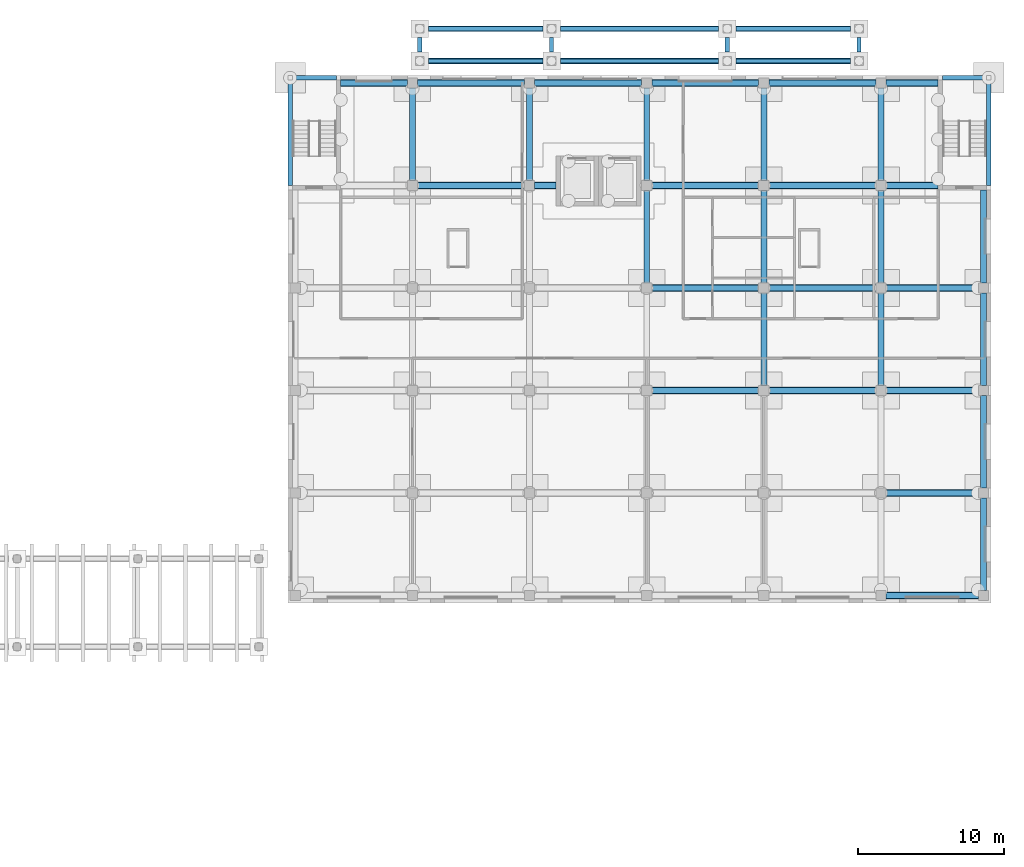
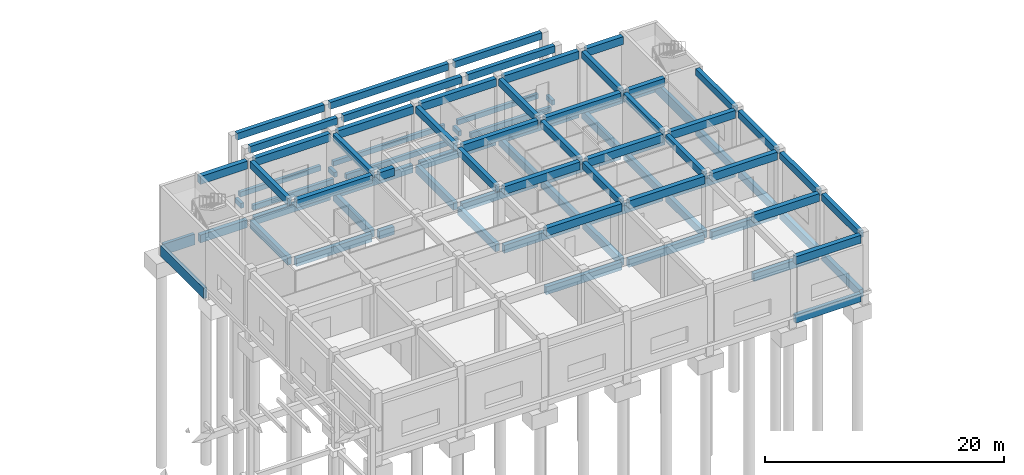
# One storey, part 23 of 51: 86 beams.
"""IFC4 building model written with IfcOpenShell, lengths in metres."""

from ifc_helpers import new_model, si_unit, direction, frame, origin, origin_2d, place, context, subcontext, project, spatial, rectangle, extrude, material, material_profile, profile_set, type_object, element, save


model = new_model("IFC4")

# Units and contexts
model_context = context("Model", 3, precision=1e-05, world=origin(), true_north=direction((0.0, 1.0)))
body_context = subcontext(model_context, "Body", "Model", "MODEL_VIEW")
ifc_project = project(units=[si_unit("LENGTHUNIT", "METRE"), si_unit("AREAUNIT", "SQUARE_METRE"), si_unit("VOLUMEUNIT", "CUBIC_METRE"), si_unit("PLANEANGLEUNIT", "RADIAN"), si_unit("MASSUNIT", "GRAM", prefix="KILO")], contexts=[model_context])

# Site, building, storey
site_placement = place(None, origin())
site = spatial("IfcSite", under=ifc_project, at=site_placement, CompositionType="ELEMENT")
building_placement = place(site_placement, origin())
building = spatial("IfcBuilding", under=site, at=building_placement, Name="Elmora Arch Market Hall", CompositionType="ELEMENT")
storey_placement = place(building_placement, origin())
storey = spatial("IfcBuildingStorey", under=building, at=storey_placement, Name="L00", CompositionType="ELEMENT", Elevation=0.0)

# Beams
ifc_material_1 = material(Name="Concrete C32/40", Category="concrete")
ifc_material_profile_1 = material_profile(ifc_material_1, rectangle(XDim=0.39990234375, YDim=0.699951171875, at=origin_2d()), Name="Canopy beam 400x700")
ifc_profile_set_1 = profile_set([ifc_material_profile_1], Name="Concrete C32/40")
beam_type_1 = type_object("IfcBeamType", Name="Canopy beam 400x700", PredefinedType="BEAM", material=ifc_profile_set_1)
beam_1_placement = place(storey_placement, frame((95.300048828125, 167.0, 5.5), z_axis=(1.0, 0.0, 0.0), x_axis=(0.0, 1.0, 0.0)))
element("IfcBeam", 1, at=beam_1_placement, inside=storey, type_object=beam_type_1, Name="Canopy beam CAN-SCH-B1 L00.1", PredefinedType="BEAM", context=body_context, shape_type="SweptSolid", body=[
    extrude(rectangle(XDim=0.39990234375, YDim=0.699951171875, at=origin_2d()), origin(), (0.0, 0.0, 1.0), 8.39990234375),
])
beam_2_placement = place(storey_placement, frame((104.300048828125, 167.0, 5.5), z_axis=(1.0, 0.0, 0.0), x_axis=(0.0, 1.0, 0.0)))
element("IfcBeam", 2, at=beam_2_placement, inside=storey, type_object=beam_type_1, Name="Canopy beam CAN-SCH-B1 L00.2", PredefinedType="BEAM", context=body_context, shape_type="SweptSolid", body=[
    extrude(rectangle(XDim=0.39990234375, YDim=0.699951171875, at=origin_2d()), origin(), (0.0, 0.0, 1.0), 11.39990234375),
])
for number, where, z_axis, x_axis, name in (
    (3, (116.300048828125, 167.0, 5.5), (1.0, 0.0, 0.0), (0.0, 1.0, 0.0), "Canopy beam CAN-SCH-B1 L00.3"),
    (4, (95.300048828125, 169.199951171875, 5.5), (1.0, 0.0, 0.0), (0.0, 1.0, 0.0), "Canopy beam CAN-SCH-B2 L00.1"),
):
    element("IfcBeam", number, at=place(storey_placement, frame(where, z_axis=z_axis, x_axis=x_axis)), inside=storey, type_object=beam_type_1, Name=name, PredefinedType="BEAM", context=body_context, shape_type="SweptSolid", body=[
        extrude(rectangle(XDim=0.39990234375, YDim=0.699951171875, at=origin_2d()), origin(), (0.0, 0.0, 1.0), 8.39990234375),
    ])
beam_3_placement = place(storey_placement, frame((104.300048828125, 169.199951171875, 5.5), z_axis=(1.0, 0.0, 0.0), x_axis=(0.0, 1.0, 0.0)))
element("IfcBeam", 5, at=beam_3_placement, inside=storey, type_object=beam_type_1, Name="Canopy beam CAN-SCH-B2 L00.2", PredefinedType="BEAM", context=body_context, shape_type="SweptSolid", body=[
    extrude(rectangle(XDim=0.39990234375, YDim=0.699951171875, at=origin_2d()), origin(), (0.0, 0.0, 1.0), 11.39990234375),
])
beam_4_placement = place(storey_placement, frame((116.300048828125, 169.199951171875, 5.5), z_axis=(1.0, 0.0, 0.0), x_axis=(0.0, 1.0, 0.0)))
element("IfcBeam", 6, at=beam_4_placement, inside=storey, type_object=beam_type_1, Name="Canopy beam CAN-SCH-B2 L00.3", PredefinedType="BEAM", context=body_context, shape_type="SweptSolid", body=[
    extrude(rectangle(XDim=0.39990234375, YDim=0.699951171875, at=origin_2d()), origin(), (0.0, 0.0, 1.0), 8.39990234375),
])
ifc_material_2 = material(Name="Concrete C32/40", Category="concrete")
ifc_material_profile_2 = material_profile(ifc_material_2, rectangle(XDim=0.300048828125, YDim=1.10009765625, at=origin_2d()), Name="Facade kicker beam 300x1100")
ifc_profile_set_2 = profile_set([ifc_material_profile_2], Name="Concrete C32/40")
beam_type_2 = type_object("IfcBeamType", Name="Facade kicker beam 300x1100", PredefinedType="BEAM", material=ifc_profile_set_2)
beam_5_placement = place(storey_placement, frame((86.14990234375, 158.5, -0.85009765625), z_axis=(0.0, 1.0, 0.0), x_axis=(-1.0, 0.0, 0.0)))
element("IfcBeam", 7, at=beam_5_placement, inside=storey, type_object=beam_type_2, Name="Facade kicker beam SCW W", PredefinedType="BEAM", context=body_context, shape_type="SweptSolid", body=[
    extrude(rectangle(XDim=0.300048828125, YDim=1.10009765625, at=origin_2d()), origin(), (0.0, 0.0, 1.0), 7.199951171875),
])
beam_6_placement = place(storey_placement, frame((86.300048828125, 165.85009765625, -0.85009765625), z_axis=(1.0, 0.0, 0.0), x_axis=(0.0, 1.0, 0.0)))
element("IfcBeam", 8, at=beam_6_placement, inside=storey, type_object=beam_type_2, Name="Facade kicker beam SCW N", PredefinedType="BEAM", context=body_context, shape_type="SweptSolid", body=[
    extrude(rectangle(XDim=0.300048828125, YDim=1.10009765625, at=origin_2d()), origin(), (0.0, 0.0, 1.0), 3.0),
])
beam_7_placement = place(storey_placement, frame((133.85009765625, 158.5, -0.85009765625), z_axis=(0.0, 1.0, 0.0), x_axis=(-1.0, 0.0, 0.0)))
element("IfcBeam", 9, at=beam_7_placement, inside=storey, type_object=beam_type_2, Name="Facade kicker beam SCE W", PredefinedType="BEAM", context=body_context, shape_type="SweptSolid", body=[
    extrude(rectangle(XDim=0.300048828125, YDim=1.10009765625, at=origin_2d()), origin(), (0.0, 0.0, 1.0), 7.199951171875),
])
beam_8_placement = place(storey_placement, frame((130.699951171875, 165.85009765625, -0.85009765625), z_axis=(1.0, 0.0, 0.0), x_axis=(0.0, 1.0, 0.0)))
element("IfcBeam", 10, at=beam_8_placement, inside=storey, type_object=beam_type_2, Name="Facade kicker beam SCE N", PredefinedType="BEAM", context=body_context, shape_type="SweptSolid", body=[
    extrude(rectangle(XDim=0.300048828125, YDim=1.10009765625, at=origin_2d()), origin(), (0.0, 0.0, 1.0), 3.0),
])
ifc_material_3 = material(Name="Concrete C32/40", Category="concrete")
ifc_material_profile_3 = material_profile(ifc_material_3, rectangle(XDim=0.39990234375, YDim=0.800048828125, at=origin_2d()), Name="Ground beam 400x800")
ifc_profile_set_3 = profile_set([ifc_material_profile_3], Name="Concrete C32/40")
beam_type_3 = type_object("IfcBeamType", Name="Ground beam 400x800", PredefinedType="BEAM", material=ifc_profile_set_3)
for number, where, z_axis, x_axis, name in (
    (11, (126.85009765625, 130.5, -0.699951171875), (1.0, 0.0, 0.0), (0.0, 1.0, 0.0), "Ground beam SGX1 L00.6"),
    (12, (126.85009765625, 137.5, -0.699951171875), (1.0, 0.0, 0.0), (0.0, 1.0, 0.0), "Ground beam SGX2 L00.6"),
):
    element("IfcBeam", number, at=place(storey_placement, frame(where, z_axis=z_axis, x_axis=x_axis)), inside=storey, type_object=beam_type_3, Name=name, PredefinedType="BEAM", context=body_context, shape_type="SweptSolid", body=[
        extrude(rectangle(XDim=0.39990234375, YDim=0.800048828125, at=origin_2d()), origin(), (0.0, 0.0, 1.0), 6.2998046875),
    ])
for number, where, z_axis, x_axis, name in (
    (13, (110.85009765625, 144.5, -0.699951171875), (1.0, 0.0, 0.0), (0.0, 1.0, 0.0), "Ground beam SGX3 L00.4"),
    (14, (118.85009765625, 144.5, -0.699951171875), (1.0, 0.0, 0.0), (0.0, 1.0, 0.0), "Ground beam SGX3 L00.5"),
):
    element("IfcBeam", number, at=place(storey_placement, frame(where, z_axis=z_axis, x_axis=x_axis)), inside=storey, type_object=beam_type_3, Name=name, PredefinedType="BEAM", context=body_context, shape_type="SweptSolid", body=[
        extrude(rectangle(XDim=0.39990234375, YDim=0.800048828125, at=origin_2d()), origin(), (0.0, 0.0, 1.0), 7.2998046875),
    ])
beam_9_placement = place(storey_placement, frame((126.85009765625, 144.5, -0.699951171875), z_axis=(1.0, 0.0, 0.0), x_axis=(0.0, 1.0, 0.0)))
element("IfcBeam", 15, at=beam_9_placement, inside=storey, type_object=beam_type_3, Name="Ground beam SGX3 L00.6", PredefinedType="BEAM", context=body_context, shape_type="SweptSolid", body=[
    extrude(rectangle(XDim=0.39990234375, YDim=0.800048828125, at=origin_2d()), origin(), (0.0, 0.0, 1.0), 6.2998046875),
])
for number, where, z_axis, x_axis, name in (
    (16, (110.85009765625, 151.5, -0.699951171875), (1.0, 0.0, 0.0), (0.0, 1.0, 0.0), "Ground beam SGX4 L00.4"),
    (17, (118.85009765625, 151.5, -0.699951171875), (1.0, 0.0, 0.0), (0.0, 1.0, 0.0), "Ground beam SGX4 L00.5"),
):
    element("IfcBeam", number, at=place(storey_placement, frame(where, z_axis=z_axis, x_axis=x_axis)), inside=storey, type_object=beam_type_3, Name=name, PredefinedType="BEAM", context=body_context, shape_type="SweptSolid", body=[
        extrude(rectangle(XDim=0.39990234375, YDim=0.800048828125, at=origin_2d()), origin(), (0.0, 0.0, 1.0), 7.2998046875),
    ])
beam_10_placement = place(storey_placement, frame((126.85009765625, 151.5, -0.699951171875), z_axis=(1.0, 0.0, 0.0), x_axis=(0.0, 1.0, 0.0)))
element("IfcBeam", 18, at=beam_10_placement, inside=storey, type_object=beam_type_3, Name="Ground beam SGX4 L00.6", PredefinedType="BEAM", context=body_context, shape_type="SweptSolid", body=[
    extrude(rectangle(XDim=0.39990234375, YDim=0.800048828125, at=origin_2d()), origin(), (0.0, 0.0, 1.0), 6.2998046875),
])
beam_11_placement = place(storey_placement, frame((94.85009765625, 158.5, -0.699951171875), z_axis=(1.0, 0.0, 0.0), x_axis=(0.0, 1.0, 0.0)))
element("IfcBeam", 19, at=beam_11_placement, inside=storey, type_object=beam_type_3, Name="Ground beam SGX5 L00.2", PredefinedType="BEAM", context=body_context, shape_type="SweptSolid", body=[
    extrude(rectangle(XDim=0.39990234375, YDim=0.800048828125, at=origin_2d()), origin(), (0.0, 0.0, 1.0), 7.2998046875),
])
beam_12_placement = place(storey_placement, frame((102.85009765625, 158.5, -0.699951171875), z_axis=(1.0, 0.0, 0.0), x_axis=(0.0, 1.0, 0.0)))
element("IfcBeam", 20, at=beam_12_placement, inside=storey, type_object=beam_type_3, Name="Ground beam SGX5 L00.3", PredefinedType="BEAM", context=body_context, shape_type="SweptSolid", body=[
    extrude(rectangle(XDim=0.39990234375, YDim=0.800048828125, at=origin_2d()), origin(), (0.0, 0.0, 1.0), 1.449951171875),
])
for number, where, z_axis, x_axis, name in (
    (21, (110.85009765625, 158.5, -0.699951171875), (1.0, 0.0, 0.0), (0.0, 1.0, 0.0), "Ground beam SGX5 L00.4"),
    (22, (118.85009765625, 158.5, -0.699951171875), (1.0, 0.0, 0.0), (0.0, 1.0, 0.0), "Ground beam SGX5 L00.5"),
):
    element("IfcBeam", number, at=place(storey_placement, frame(where, z_axis=z_axis, x_axis=x_axis)), inside=storey, type_object=beam_type_3, Name=name, PredefinedType="BEAM", context=body_context, shape_type="SweptSolid", body=[
        extrude(rectangle(XDim=0.39990234375, YDim=0.800048828125, at=origin_2d()), origin(), (0.0, 0.0, 1.0), 7.2998046875),
    ])
beam_13_placement = place(storey_placement, frame((126.85009765625, 158.5, -0.699951171875), z_axis=(1.0, 0.0, 0.0), x_axis=(0.0, 1.0, 0.0)))
element("IfcBeam", 23, at=beam_13_placement, inside=storey, type_object=beam_type_3, Name="Ground beam SGX5 L00.6", PredefinedType="BEAM", context=body_context, shape_type="SweptSolid", body=[
    extrude(rectangle(XDim=0.39990234375, YDim=0.800048828125, at=origin_2d()), origin(), (0.0, 0.0, 1.0), 3.5498046875),
])
beam_14_placement = place(storey_placement, frame((89.60009765625, 165.5, -0.699951171875), z_axis=(1.0, 0.0, 0.0), x_axis=(0.0, 1.0, 0.0)))
element("IfcBeam", 24, at=beam_14_placement, inside=storey, type_object=beam_type_3, Name="Ground beam SGX6 L00.1", PredefinedType="BEAM", context=body_context, shape_type="SweptSolid", body=[
    extrude(rectangle(XDim=0.39990234375, YDim=0.800048828125, at=origin_2d()), origin(), (0.0, 0.0, 1.0), 4.5498046875),
])
for number, where, z_axis, x_axis, name in (
    (25, (94.85009765625, 165.5, -0.699951171875), (1.0, 0.0, 0.0), (0.0, 1.0, 0.0), "Ground beam SGX6 L00.2"),
    (26, (102.85009765625, 165.5, -0.699951171875), (1.0, 0.0, 0.0), (0.0, 1.0, 0.0), "Ground beam SGX6 L00.3"),
    (27, (110.85009765625, 165.5, -0.699951171875), (1.0, 0.0, 0.0), (0.0, 1.0, 0.0), "Ground beam SGX6 L00.4"),
    (28, (118.85009765625, 165.5, -0.699951171875), (1.0, 0.0, 0.0), (0.0, 1.0, 0.0), "Ground beam SGX6 L00.5"),
):
    element("IfcBeam", number, at=place(storey_placement, frame(where, z_axis=z_axis, x_axis=x_axis)), inside=storey, type_object=beam_type_3, Name=name, PredefinedType="BEAM", context=body_context, shape_type="SweptSolid", body=[
        extrude(rectangle(XDim=0.39990234375, YDim=0.800048828125, at=origin_2d()), origin(), (0.0, 0.0, 1.0), 7.2998046875),
    ])
beam_15_placement = place(storey_placement, frame((126.85009765625, 165.5, -0.699951171875), z_axis=(1.0, 0.0, 0.0), x_axis=(0.0, 1.0, 0.0)))
element("IfcBeam", 29, at=beam_15_placement, inside=storey, type_object=beam_type_3, Name="Ground beam SGX6 L00.6", PredefinedType="BEAM", context=body_context, shape_type="SweptSolid", body=[
    extrude(rectangle(XDim=0.39990234375, YDim=0.800048828125, at=origin_2d()), origin(), (0.0, 0.0, 1.0), 3.5498046875),
])
for number, where, z_axis, x_axis, name in (
    (30, (94.5, 158.85009765625, -0.699951171875), (0.0, 1.0, 0.0), (-1.0, 0.0, 0.0), "Ground beam SGY2 L00.5"),
    (31, (102.5, 158.85009765625, -0.699951171875), (0.0, 1.0, 0.0), (-1.0, 0.0, 0.0), "Ground beam SGY3 L00.5"),
    (32, (110.5, 151.85009765625, -0.699951171875), (0.0, 1.0, 0.0), (-1.0, 0.0, 0.0), "Ground beam SGY4 L00.4"),
    (33, (110.5, 158.85009765625, -0.699951171875), (0.0, 1.0, 0.0), (-1.0, 0.0, 0.0), "Ground beam SGY4 L00.5"),
    (34, (118.5, 144.85009765625, -0.699951171875), (0.0, 1.0, 0.0), (-1.0, 0.0, 0.0), "Ground beam SGY5 L00.3"),
    (35, (118.5, 151.85009765625, -0.699951171875), (0.0, 1.0, 0.0), (-1.0, 0.0, 0.0), "Ground beam SGY5 L00.4"),
    (36, (118.5, 158.85009765625, -0.699951171875), (0.0, 1.0, 0.0), (-1.0, 0.0, 0.0), "Ground beam SGY5 L00.5"),
    (37, (126.5, 144.85009765625, -0.699951171875), (0.0, 1.0, 0.0), (-1.0, 0.0, 0.0), "Ground beam SGY6 L00.3"),
    (38, (126.5, 151.85009765625, -0.699951171875), (0.0, 1.0, 0.0), (-1.0, 0.0, 0.0), "Ground beam SGY6 L00.4"),
    (39, (126.5, 158.85009765625, -0.699951171875), (0.0, 1.0, 0.0), (-1.0, 0.0, 0.0), "Ground beam SGY6 L00.5"),
    (40, (133.5, 130.85009765625, -0.699951171875), (0.0, 1.0, 0.0), (-1.0, 0.0, 0.0), "Ground beam SGY7 L00.1"),
    (41, (133.5, 137.85009765625, -0.699951171875), (0.0, 1.0, 0.0), (-1.0, 0.0, 0.0), "Ground beam SGY7 L00.2"),
    (42, (133.5, 144.85009765625, -0.699951171875), (0.0, 1.0, 0.0), (-1.0, 0.0, 0.0), "Ground beam SGY7 L00.3"),
):
    element("IfcBeam", number, at=place(storey_placement, frame(where, z_axis=z_axis, x_axis=x_axis)), inside=storey, type_object=beam_type_3, Name=name, PredefinedType="BEAM", context=body_context, shape_type="SweptSolid", body=[
        extrude(rectangle(XDim=0.39990234375, YDim=0.800048828125, at=origin_2d()), origin(), (0.0, 0.0, 1.0), 6.2998046875),
    ])
beam_16_placement = place(storey_placement, frame((133.5, 151.85009765625, -0.699951171875), z_axis=(0.0, 1.0, 0.0), x_axis=(-1.0, 0.0, 0.0)))
element("IfcBeam", 43, at=beam_16_placement, inside=storey, type_object=beam_type_3, Name="Ground beam SGY7 L00.4", PredefinedType="BEAM", context=body_context, shape_type="SweptSolid", body=[
    extrude(rectangle(XDim=0.39990234375, YDim=0.800048828125, at=origin_2d()), origin(), (0.0, 0.0, 1.0), 6.349853515625),
])
ifc_material_4 = material(Name="Concrete C32/40", Category="concrete")
ifc_material_profile_4 = material_profile(ifc_material_4, rectangle(XDim=0.300048828125, YDim=0.5, at=origin_2d()), Name="Pad tie beam 300x500")
ifc_profile_set_4 = profile_set([ifc_material_profile_4], Name="Concrete C32/40")
beam_type_4 = type_object("IfcBeamType", Name="Pad tie beam 300x500", PredefinedType="BEAM", material=ifc_profile_set_4)
beam_17_placement = place(storey_placement, frame((95.60009765625, 167.0, -0.550048828125), z_axis=(1.0, 0.0, 0.0), x_axis=(0.0, 1.0, 0.0)))
element("IfcBeam", 44, at=beam_17_placement, inside=storey, type_object=beam_type_4, Name="Pad tie beam 023", PredefinedType="BEAM", context=body_context, shape_type="SweptSolid", body=[
    extrude(rectangle(XDim=0.300048828125, YDim=0.5, at=origin_2d()), origin(), (0.0, 0.0, 1.0), 7.7998046875),
])
beam_18_placement = place(storey_placement, frame((104.60009765625, 167.0, -0.550048828125), z_axis=(1.0, 0.0, 0.0), x_axis=(0.0, 1.0, 0.0)))
element("IfcBeam", 45, at=beam_18_placement, inside=storey, type_object=beam_type_4, Name="Pad tie beam 024", PredefinedType="BEAM", context=body_context, shape_type="SweptSolid", body=[
    extrude(rectangle(XDim=0.300048828125, YDim=0.5, at=origin_2d()), origin(), (0.0, 0.0, 1.0), 10.7998046875),
])
for number, where, z_axis, x_axis, name in (
    (46, (116.60009765625, 167.0, -0.550048828125), (1.0, 0.0, 0.0), (0.0, 1.0, 0.0), "Pad tie beam 025"),
    (47, (95.60009765625, 169.199951171875, -0.550048828125), (1.0, 0.0, 0.0), (0.0, 1.0, 0.0), "Pad tie beam 026"),
):
    element("IfcBeam", number, at=place(storey_placement, frame(where, z_axis=z_axis, x_axis=x_axis)), inside=storey, type_object=beam_type_4, Name=name, PredefinedType="BEAM", context=body_context, shape_type="SweptSolid", body=[
        extrude(rectangle(XDim=0.300048828125, YDim=0.5, at=origin_2d()), origin(), (0.0, 0.0, 1.0), 7.7998046875),
    ])
beam_19_placement = place(storey_placement, frame((104.60009765625, 169.199951171875, -0.550048828125), z_axis=(1.0, 0.0, 0.0), x_axis=(0.0, 1.0, 0.0)))
element("IfcBeam", 48, at=beam_19_placement, inside=storey, type_object=beam_type_4, Name="Pad tie beam 027", PredefinedType="BEAM", context=body_context, shape_type="SweptSolid", body=[
    extrude(rectangle(XDim=0.300048828125, YDim=0.5, at=origin_2d()), origin(), (0.0, 0.0, 1.0), 10.7998046875),
])
beam_20_placement = place(storey_placement, frame((116.60009765625, 169.199951171875, -0.550048828125), z_axis=(1.0, 0.0, 0.0), x_axis=(0.0, 1.0, 0.0)))
element("IfcBeam", 49, at=beam_20_placement, inside=storey, type_object=beam_type_4, Name="Pad tie beam 028", PredefinedType="BEAM", context=body_context, shape_type="SweptSolid", body=[
    extrude(rectangle(XDim=0.300048828125, YDim=0.5, at=origin_2d()), origin(), (0.0, 0.0, 1.0), 7.7998046875),
])
for number, where, z_axis, x_axis, name in (
    (50, (95.0, 167.60009765625, -0.550048828125), (0.0, 1.0, 0.0), (-1.0, 0.0, 0.0), "Pad tie beam 029"),
    (51, (104.0, 167.60009765625, -0.550048828125), (0.0, 1.0, 0.0), (-1.0, 0.0, 0.0), "Pad tie beam 030"),
    (52, (116.0, 167.60009765625, -0.550048828125), (0.0, 1.0, 0.0), (-1.0, 0.0, 0.0), "Pad tie beam 031"),
    (53, (125.0, 167.60009765625, -0.550048828125), (0.0, 1.0, 0.0), (-1.0, 0.0, 0.0), "Pad tie beam 032"),
):
    element("IfcBeam", number, at=place(storey_placement, frame(where, z_axis=z_axis, x_axis=x_axis)), inside=storey, type_object=beam_type_4, Name=name, PredefinedType="BEAM", context=body_context, shape_type="SweptSolid", body=[
        extrude(rectangle(XDim=0.300048828125, YDim=0.5, at=origin_2d()), origin(), (0.0, 0.0, 1.0), 1.0),
    ])
ifc_material_5 = material(Name="Concrete C32/40", Category="concrete")
ifc_material_profile_5 = material_profile(ifc_material_5, rectangle(XDim=0.39990234375, YDim=0.699951171875, at=origin_2d()), Name="School beam 400x700")
ifc_profile_set_5 = profile_set([ifc_material_profile_5], Name="Concrete C32/40")
beam_type_5 = type_object("IfcBeamType", Name="School beam 400x700", PredefinedType="BEAM", material=ifc_profile_set_5)
for number, where, z_axis, x_axis, name in (
    (54, (94.5, 158.85009765625, 5.35009765625), (0.0, 1.0, 0.0), (-1.0, 0.0, 0.0), "School beam SY2 L00.5"),
    (55, (102.5, 158.85009765625, 5.35009765625), (0.0, 1.0, 0.0), (-1.0, 0.0, 0.0), "School beam SY3 L00.5"),
    (56, (110.5, 151.85009765625, 5.35009765625), (0.0, 1.0, 0.0), (-1.0, 0.0, 0.0), "School beam SY4 L00.4"),
    (57, (110.5, 158.85009765625, 5.35009765625), (0.0, 1.0, 0.0), (-1.0, 0.0, 0.0), "School beam SY4 L00.5"),
    (58, (118.5, 144.85009765625, 5.35009765625), (0.0, 1.0, 0.0), (-1.0, 0.0, 0.0), "School beam SY5 L00.3"),
    (59, (118.5, 151.85009765625, 5.35009765625), (0.0, 1.0, 0.0), (-1.0, 0.0, 0.0), "School beam SY5 L00.4"),
    (60, (118.5, 158.85009765625, 5.35009765625), (0.0, 1.0, 0.0), (-1.0, 0.0, 0.0), "School beam SY5 L00.5"),
    (61, (126.5, 144.85009765625, 5.35009765625), (0.0, 1.0, 0.0), (-1.0, 0.0, 0.0), "School beam SY6 L00.3"),
    (62, (126.5, 151.85009765625, 5.35009765625), (0.0, 1.0, 0.0), (-1.0, 0.0, 0.0), "School beam SY6 L00.4"),
    (63, (126.5, 158.85009765625, 5.35009765625), (0.0, 1.0, 0.0), (-1.0, 0.0, 0.0), "School beam SY6 L00.5"),
    (64, (133.5, 130.85009765625, 5.35009765625), (0.0, 1.0, 0.0), (-1.0, 0.0, 0.0), "School beam SY7 L00.1"),
    (65, (133.5, 137.85009765625, 5.35009765625), (0.0, 1.0, 0.0), (-1.0, 0.0, 0.0), "School beam SY7 L00.2"),
    (66, (133.5, 144.85009765625, 5.35009765625), (0.0, 1.0, 0.0), (-1.0, 0.0, 0.0), "School beam SY7 L00.3"),
):
    element("IfcBeam", number, at=place(storey_placement, frame(where, z_axis=z_axis, x_axis=x_axis)), inside=storey, type_object=beam_type_5, Name=name, PredefinedType="BEAM", context=body_context, shape_type="SweptSolid", body=[
        extrude(rectangle(XDim=0.39990234375, YDim=0.699951171875, at=origin_2d()), origin(), (0.0, 0.0, 1.0), 6.2998046875),
    ])
beam_21_placement = place(storey_placement, frame((133.5, 151.85009765625, 5.35009765625), z_axis=(0.0, 1.0, 0.0), x_axis=(-1.0, 0.0, 0.0)))
element("IfcBeam", 67, at=beam_21_placement, inside=storey, type_object=beam_type_5, Name="School beam SY7 L00.4", PredefinedType="BEAM", context=body_context, shape_type="SweptSolid", body=[
    extrude(rectangle(XDim=0.39990234375, YDim=0.699951171875, at=origin_2d()), origin(), (0.0, 0.0, 1.0), 6.349853515625),
])
ifc_material_6 = material(Name="Concrete C32/40", Category="concrete")
ifc_material_profile_6 = material_profile(ifc_material_6, rectangle(XDim=0.449951171875, YDim=0.800048828125, at=origin_2d()), Name="School girder 450x800")
ifc_profile_set_6 = profile_set([ifc_material_profile_6], Name="Concrete C32/40")
beam_type_6 = type_object("IfcBeamType", Name="School girder 450x800", PredefinedType="BEAM", material=ifc_profile_set_6)
for number, where, z_axis, x_axis, name in (
    (68, (126.85009765625, 130.5, 5.300048828125), (1.0, 0.0, 0.0), (0.0, 1.0, 0.0), "School girder SX1 L00.6"),
    (69, (126.85009765625, 137.5, 5.300048828125), (1.0, 0.0, 0.0), (0.0, 1.0, 0.0), "School girder SX2 L00.6"),
):
    element("IfcBeam", number, at=place(storey_placement, frame(where, z_axis=z_axis, x_axis=x_axis)), inside=storey, type_object=beam_type_6, Name=name, PredefinedType="BEAM", context=body_context, shape_type="SweptSolid", body=[
        extrude(rectangle(XDim=0.449951171875, YDim=0.800048828125, at=origin_2d()), origin(), (0.0, 0.0, 1.0), 6.2998046875),
    ])
for number, where, z_axis, x_axis, name in (
    (70, (110.85009765625, 144.5, 5.300048828125), (1.0, 0.0, 0.0), (0.0, 1.0, 0.0), "School girder SX3 L00.4"),
    (71, (118.85009765625, 144.5, 5.300048828125), (1.0, 0.0, 0.0), (0.0, 1.0, 0.0), "School girder SX3 L00.5"),
):
    element("IfcBeam", number, at=place(storey_placement, frame(where, z_axis=z_axis, x_axis=x_axis)), inside=storey, type_object=beam_type_6, Name=name, PredefinedType="BEAM", context=body_context, shape_type="SweptSolid", body=[
        extrude(rectangle(XDim=0.449951171875, YDim=0.800048828125, at=origin_2d()), origin(), (0.0, 0.0, 1.0), 7.2998046875),
    ])
beam_22_placement = place(storey_placement, frame((126.85009765625, 144.5, 5.300048828125), z_axis=(1.0, 0.0, 0.0), x_axis=(0.0, 1.0, 0.0)))
element("IfcBeam", 72, at=beam_22_placement, inside=storey, type_object=beam_type_6, Name="School girder SX3 L00.6", PredefinedType="BEAM", context=body_context, shape_type="SweptSolid", body=[
    extrude(rectangle(XDim=0.449951171875, YDim=0.800048828125, at=origin_2d()), origin(), (0.0, 0.0, 1.0), 6.2998046875),
])
for number, where, z_axis, x_axis, name in (
    (73, (110.85009765625, 151.5, 5.300048828125), (1.0, 0.0, 0.0), (0.0, 1.0, 0.0), "School girder SX4 L00.4"),
    (74, (118.85009765625, 151.5, 5.300048828125), (1.0, 0.0, 0.0), (0.0, 1.0, 0.0), "School girder SX4 L00.5"),
):
    element("IfcBeam", number, at=place(storey_placement, frame(where, z_axis=z_axis, x_axis=x_axis)), inside=storey, type_object=beam_type_6, Name=name, PredefinedType="BEAM", context=body_context, shape_type="SweptSolid", body=[
        extrude(rectangle(XDim=0.449951171875, YDim=0.800048828125, at=origin_2d()), origin(), (0.0, 0.0, 1.0), 7.2998046875),
    ])
beam_23_placement = place(storey_placement, frame((126.85009765625, 151.5, 5.300048828125), z_axis=(1.0, 0.0, 0.0), x_axis=(0.0, 1.0, 0.0)))
element("IfcBeam", 75, at=beam_23_placement, inside=storey, type_object=beam_type_6, Name="School girder SX4 L00.6", PredefinedType="BEAM", context=body_context, shape_type="SweptSolid", body=[
    extrude(rectangle(XDim=0.449951171875, YDim=0.800048828125, at=origin_2d()), origin(), (0.0, 0.0, 1.0), 6.2998046875),
])
beam_24_placement = place(storey_placement, frame((94.85009765625, 158.5, 5.300048828125), z_axis=(1.0, 0.0, 0.0), x_axis=(0.0, 1.0, 0.0)))
element("IfcBeam", 76, at=beam_24_placement, inside=storey, type_object=beam_type_6, Name="School girder SX5 L00.2", PredefinedType="BEAM", context=body_context, shape_type="SweptSolid", body=[
    extrude(rectangle(XDim=0.449951171875, YDim=0.800048828125, at=origin_2d()), origin(), (0.0, 0.0, 1.0), 7.2998046875),
])
beam_25_placement = place(storey_placement, frame((102.85009765625, 158.5, 5.300048828125), z_axis=(1.0, 0.0, 0.0), x_axis=(0.0, 1.0, 0.0)))
element("IfcBeam", 77, at=beam_25_placement, inside=storey, type_object=beam_type_6, Name="School girder SX5 L00.3", PredefinedType="BEAM", context=body_context, shape_type="SweptSolid", body=[
    extrude(rectangle(XDim=0.449951171875, YDim=0.800048828125, at=origin_2d()), origin(), (0.0, 0.0, 1.0), 1.449951171875),
])
for number, where, z_axis, x_axis, name in (
    (78, (110.85009765625, 158.5, 5.300048828125), (1.0, 0.0, 0.0), (0.0, 1.0, 0.0), "School girder SX5 L00.4"),
    (79, (118.85009765625, 158.5, 5.300048828125), (1.0, 0.0, 0.0), (0.0, 1.0, 0.0), "School girder SX5 L00.5"),
):
    element("IfcBeam", number, at=place(storey_placement, frame(where, z_axis=z_axis, x_axis=x_axis)), inside=storey, type_object=beam_type_6, Name=name, PredefinedType="BEAM", context=body_context, shape_type="SweptSolid", body=[
        extrude(rectangle(XDim=0.449951171875, YDim=0.800048828125, at=origin_2d()), origin(), (0.0, 0.0, 1.0), 7.2998046875),
    ])
beam_26_placement = place(storey_placement, frame((126.85009765625, 158.5, 5.300048828125), z_axis=(1.0, 0.0, 0.0), x_axis=(0.0, 1.0, 0.0)))
element("IfcBeam", 80, at=beam_26_placement, inside=storey, type_object=beam_type_6, Name="School girder SX5 L00.6", PredefinedType="BEAM", context=body_context, shape_type="SweptSolid", body=[
    extrude(rectangle(XDim=0.449951171875, YDim=0.800048828125, at=origin_2d()), origin(), (0.0, 0.0, 1.0), 3.5498046875),
])
beam_27_placement = place(storey_placement, frame((89.60009765625, 165.5, 5.300048828125), z_axis=(1.0, 0.0, 0.0), x_axis=(0.0, 1.0, 0.0)))
element("IfcBeam", 81, at=beam_27_placement, inside=storey, type_object=beam_type_6, Name="School girder SX6 L00.1", PredefinedType="BEAM", context=body_context, shape_type="SweptSolid", body=[
    extrude(rectangle(XDim=0.449951171875, YDim=0.800048828125, at=origin_2d()), origin(), (0.0, 0.0, 1.0), 4.5498046875),
])
for number, where, z_axis, x_axis, name in (
    (82, (94.85009765625, 165.5, 5.300048828125), (1.0, 0.0, 0.0), (0.0, 1.0, 0.0), "School girder SX6 L00.2"),
    (83, (102.85009765625, 165.5, 5.300048828125), (1.0, 0.0, 0.0), (0.0, 1.0, 0.0), "School girder SX6 L00.3"),
    (84, (110.85009765625, 165.5, 5.300048828125), (1.0, 0.0, 0.0), (0.0, 1.0, 0.0), "School girder SX6 L00.4"),
    (85, (118.85009765625, 165.5, 5.300048828125), (1.0, 0.0, 0.0), (0.0, 1.0, 0.0), "School girder SX6 L00.5"),
):
    element("IfcBeam", number, at=place(storey_placement, frame(where, z_axis=z_axis, x_axis=x_axis)), inside=storey, type_object=beam_type_6, Name=name, PredefinedType="BEAM", context=body_context, shape_type="SweptSolid", body=[
        extrude(rectangle(XDim=0.449951171875, YDim=0.800048828125, at=origin_2d()), origin(), (0.0, 0.0, 1.0), 7.2998046875),
    ])
beam_28_placement = place(storey_placement, frame((126.85009765625, 165.5, 5.300048828125), z_axis=(1.0, 0.0, 0.0), x_axis=(0.0, 1.0, 0.0)))
element("IfcBeam", 86, at=beam_28_placement, inside=storey, type_object=beam_type_6, Name="School girder SX6 L00.6", PredefinedType="BEAM", context=body_context, shape_type="SweptSolid", body=[
    extrude(rectangle(XDim=0.449951171875, YDim=0.800048828125, at=origin_2d()), origin(), (0.0, 0.0, 1.0), 3.5498046875),
])

save(model, "model.ifc")
